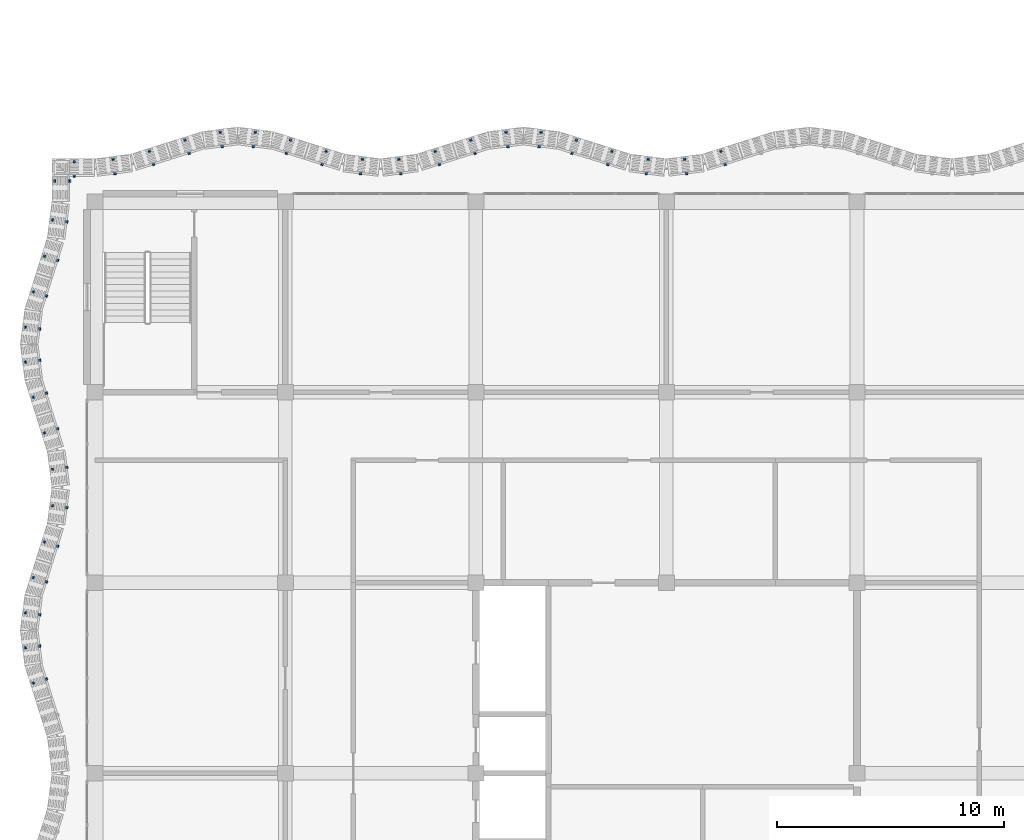
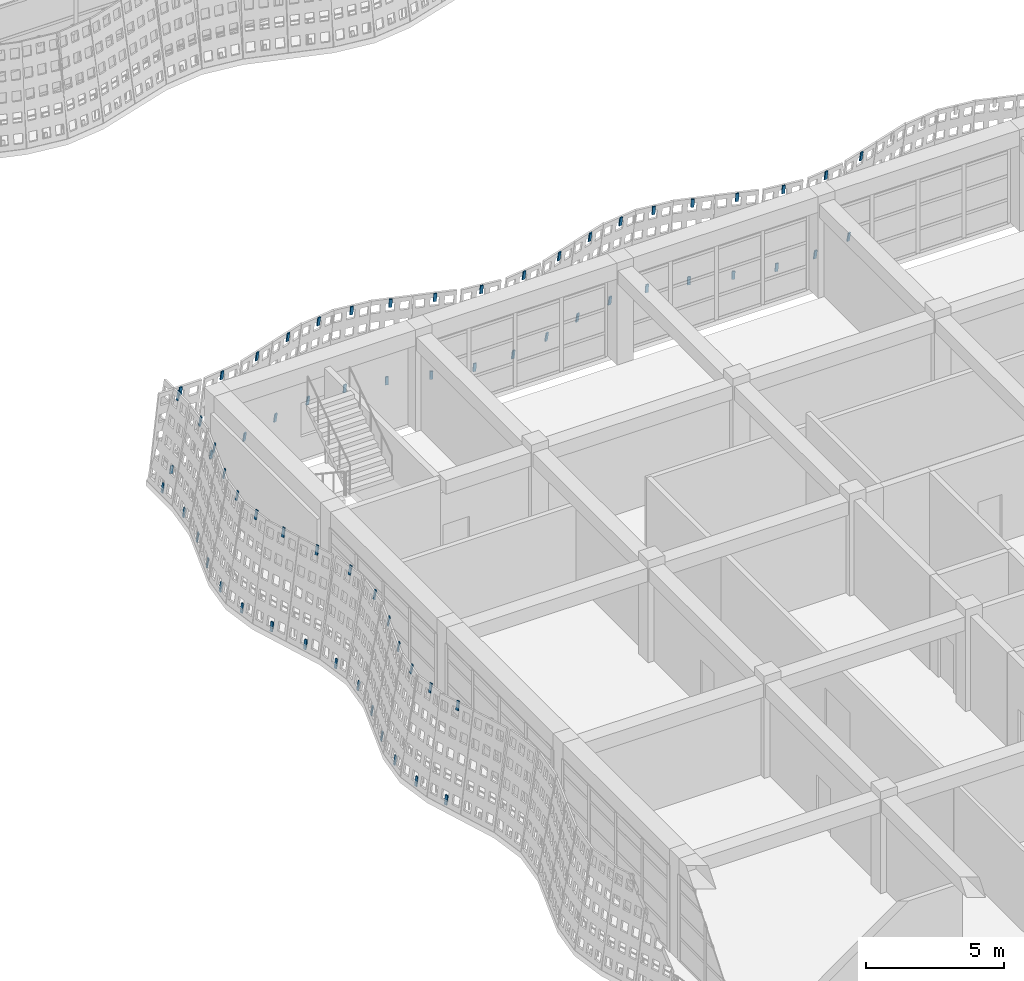
# One storey, part 102 of 162: 68 discrete accessories.
"""IFC4 building model written with IfcOpenShell, lengths in metres."""

import ifcopenshell
import ifcopenshell.guid

model = None  # the IFC model being written
_history = None  # IfcOwnerHistory: only IFC2X3 demands one
_inside = {}  # id of a spatial element -> (the spatial element, [elements in it])
_under = {}  # id of a project, library or spatial element -> (it, [spatial elements below it])
_declared = {}  # id of a project -> (the project, [libraries it declares])
_typed = {}  # id of a type object -> (the type object, [elements of that type])
_made_of = {}  # id of a material, layer set ... -> (it, [elements and type objects made of it])


def new_model(schema):
    """Start an empty IFC model of exactly this schema.

    Asked for "IFC4X3", IfcOpenShell would pick the latest addendum, in which some entities
    have other attributes; the version numbers below select the first issue.
    IFC2X3 requires an IfcOwnerHistory on every rooted entity: one is made here for all.
    """
    global model, _history
    if schema == "IFC4X3":
        model = ifcopenshell.file(schema_version=(4, 3, 0, 0))
    else:
        model = ifcopenshell.file(schema=schema)
    _inside.clear()
    _under.clear()
    _declared.clear()
    _typed.clear()
    _made_of.clear()
    _history = None
    if model.schema == "IFC2X3":
        org = make("IfcOrganization", Name="unknown")
        user = make(
            "IfcPersonAndOrganization",
            ThePerson=make("IfcPerson", FamilyName="unknown"),
            TheOrganization=org,
        )
        app = make(
            "IfcApplication",
            ApplicationDeveloper=org,
            Version="unknown",
            ApplicationFullName="unknown",
            ApplicationIdentifier="unknown",
        )
        _history = make(
            "IfcOwnerHistory",
            OwningUser=user,
            OwningApplication=app,
            ChangeAction="ADDED",
            CreationDate=0,
        )
    return model


def make(cls, **values):
    """One entity of the class cls with the attributes given. An attribute that is None is left unset."""
    return model.create_entity(
        cls, **{name: value for name, value in values.items() if value is not None}
    )


def rooted(cls, **values):
    """An entity with a GlobalId (a new one), such as an element, a storey or a relation."""
    return make(cls, GlobalId=ifcopenshell.guid.new(), OwnerHistory=_history, **values)


def si_unit(unit_type, name, prefix=None):
    """IfcSIUnit, for example si_unit("LENGTHUNIT", "METRE", prefix="MILLI")."""
    return make("IfcSIUnit", UnitType=unit_type, Prefix=prefix, Name=name)


def assignment(units):
    """IfcUnitAssignment: the units of a project."""
    return None if units is None else make("IfcUnitAssignment", Units=units)


def point(xyz):
    """IfcCartesianPoint."""
    return None if xyz is None else make("IfcCartesianPoint", Coordinates=xyz)


def direction(xyz):
    """IfcDirection."""
    return None if xyz is None else make("IfcDirection", DirectionRatios=xyz)


def frame(location, z_axis=None, x_axis=None):
    """IfcAxis2Placement3D, a coordinate frame: its origin and axes. An axis left out is left unset."""
    return make(
        "IfcAxis2Placement3D",
        Location=point(location),
        Axis=direction(z_axis),
        RefDirection=direction(x_axis),
    )


def frame_2d(location, x_axis=None):
    """IfcAxis2Placement2D, a coordinate frame in the plane: its origin and x axis."""
    return make(
        "IfcAxis2Placement2D", Location=point(location), RefDirection=direction(x_axis)
    )


def origin():
    """The frame at (0, 0, 0) with its axes left unset."""
    return frame((0.0, 0.0, 0.0))


def origin_2d():
    """The frame at (0, 0) in the plane with its x axis left unset."""
    return frame_2d((0.0, 0.0))


def place(relative_to, where):
    """IfcLocalPlacement: puts the frame where relative to a parent placement (None: the world)."""
    return make(
        "IfcLocalPlacement", PlacementRelTo=relative_to, RelativePlacement=where
    )


def context(
    kind, dimensions, precision=None, world=None, true_north=None, identifier=None
):
    """IfcGeometricRepresentationContext, for example the 3D "Model" context."""
    return make(
        "IfcGeometricRepresentationContext",
        ContextIdentifier=identifier,
        ContextType=kind,
        CoordinateSpaceDimension=dimensions,
        Precision=precision,
        WorldCoordinateSystem=world,
        TrueNorth=true_north,
    )


def subcontext(parent, identifier, kind, view, scale=None):
    """IfcGeometricRepresentationSubContext, for example "Body" below "Model"."""
    return make(
        "IfcGeometricRepresentationSubContext",
        ContextIdentifier=identifier,
        ContextType=kind,
        ParentContext=parent,
        TargetScale=scale,
        TargetView=view,
    )


def project(units=None, contexts=None):
    """IfcProject with its units and contexts."""
    return rooted(
        "IfcProject",
        Name="project",
        RepresentationContexts=contexts,
        UnitsInContext=assignment(units),
    )


def spatial(cls, under=None, at=None, **own):
    """A site, building, storey or space (cls), placed at a placement, below another one or the project."""
    s = rooted(cls, ObjectPlacement=at, **own)
    if under is not None:
        _under.setdefault(under.id(), (under, []))[1].append(s)
    return s


def profile(cls, at=None, kind="AREA", **sizes):
    """A parametric profile (cls). Its sizes go by their IFC names, for example OverallWidth=200.0."""
    return make(cls, ProfileType=kind, Position=at, **sizes)


def rectangle(**sizes):
    """IfcRectangleProfileDef."""
    return profile("IfcRectangleProfileDef", **sizes)


def extrude(swept, where, along, depth):
    """IfcExtrudedAreaSolid: the profile swept, set in the frame where, extruded along a direction by depth."""
    return make(
        "IfcExtrudedAreaSolid",
        SweptArea=swept,
        Position=where,
        ExtrudedDirection=direction(along),
        Depth=depth,
    )


def shape(context_of_items, identifier, shape_type, items):
    """IfcShapeRepresentation: the items that make up one representation, for example the "Body"."""
    return make(
        "IfcShapeRepresentation",
        ContextOfItems=context_of_items,
        RepresentationIdentifier=identifier,
        RepresentationType=shape_type,
        Items=items,
    )


def material(Name=None, Category=None):
    """IfcMaterial."""
    return make("IfcMaterial", Name=Name, Category=Category)


def material_profile(
    of_material, cross_section, Name=None, Category=None, Priority=None
):
    """IfcMaterialProfile: a cross section and its material."""
    return make(
        "IfcMaterialProfile",
        Name=Name,
        Material=of_material,
        Profile=cross_section,
        Priority=Priority,
        Category=Category,
    )


def profile_set(profiles, Name=None, composite=None):
    """IfcMaterialProfileSet."""
    return make(
        "IfcMaterialProfileSet",
        Name=Name,
        MaterialProfiles=profiles,
        CompositeProfile=composite,
    )


def made_of(thing, what):
    """Note that an element or type object is made of a material, layer set ...; save() writes the relation."""
    if what is not None:
        _made_of.setdefault(what.id(), (what, []))[1].append(thing)
    return thing


def type_object(cls, material=None, **own):
    """A type object (cls), such as IfcWallType, which elements share."""
    return made_of(rooted(cls, **own), material)


def element(
    cls,
    number,
    at=None,
    inside=None,
    cuts=None,
    type_object=None,
    material=None,
    context=None,
    identifier="Body",
    shape_type=None,
    held_by="IfcProductDefinitionShape",
    body=None,
    shapes=None,
    **own,
):
    """One element of the class cls, such as IfcWall. Its Tag is "e" and its number.

    at: its placement. inside: the storey or other place that contains it. cuts: it is an
    opening in that element (IfcRelVoidsElement). A single representation is given by context,
    identifier, shape_type and body (its items); several are given by shapes. held_by: the class
    of the entity that holds the representations. save() writes the other relations.
    """
    e = rooted(cls, Tag="e%d" % number, ObjectPlacement=at, **own)
    if body is not None:
        shapes = [shape(context, identifier, shape_type, body)]
    if shapes is not None:
        e.Representation = make(held_by, Representations=shapes)
    if inside is not None:
        _inside.setdefault(inside.id(), (inside, []))[1].append(e)
    if cuts is not None:
        rooted(
            "IfcRelVoidsElement", RelatingBuildingElement=cuts, RelatedOpeningElement=e
        )
    if type_object is not None:
        _typed.setdefault(type_object.id(), (type_object, []))[1].append(e)
    return made_of(e, material)


def aggregate(whole, parts):
    """IfcRelAggregates: a whole, such as a stair, and the parts it consists of."""
    return rooted("IfcRelAggregates", RelatingObject=whole, RelatedObjects=parts)


def save(model, path):
    """Write the relations noted so far, then the file.

    IfcRelAggregates (storeys below a building ...), IfcRelContainedInSpatialStructure (elements
    in a storey), IfcRelDefinesByType, IfcRelAssociatesMaterial and IfcRelDeclares: one each for
    every whole, place, type object, material and project.
    """
    for whole, parts in _under.values():
        aggregate(whole, parts)
    for where, things in _inside.values():
        rooted(
            "IfcRelContainedInSpatialStructure",
            RelatedElements=things,
            RelatingStructure=where,
        )
    for kind, things in _typed.values():
        rooted("IfcRelDefinesByType", RelatedObjects=things, RelatingType=kind)
    for what, things in _made_of.values():
        rooted("IfcRelAssociatesMaterial", RelatedObjects=things, RelatingMaterial=what)
    for by, libraries in _declared.values():
        rooted("IfcRelDeclares", RelatingContext=by, RelatedDefinitions=libraries)
    model.write(path)


model = new_model("IFC4")

# Units and contexts
model_context = context("Model", 3, precision=1e-05, world=origin(), true_north=direction((0.0, 1.0)))
body_context = subcontext(model_context, "Body", "Model", "MODEL_VIEW")
ifc_project = project(units=[si_unit("LENGTHUNIT", "METRE"), si_unit("AREAUNIT", "SQUARE_METRE"), si_unit("VOLUMEUNIT", "CUBIC_METRE"), si_unit("PLANEANGLEUNIT", "RADIAN"), si_unit("MASSUNIT", "GRAM", prefix="KILO")], contexts=[model_context])

# Site, building, storey
site_placement = place(None, origin())
site = spatial("IfcSite", under=ifc_project, at=site_placement, CompositionType="ELEMENT")
building_placement = place(site_placement, origin())
building = spatial("IfcBuilding", under=site, at=building_placement, Name="Rain Tree Exposition and Congress Centre", CompositionType="ELEMENT")
storey_placement = place(building_placement, frame((0.0, 0.0, 6.0)))
storey = spatial("IfcBuildingStorey", under=building, at=storey_placement, Name="L01", CompositionType="ELEMENT", Elevation=6.0)

# Discrete accessories
ifc_material = material(Name="Steel S355J2", Category="steel")
ifc_material_profile = material_profile(ifc_material, rectangle(XDim=0.1201171875, YDim=0.050048828125, at=origin_2d()), Name="Flat bar 120x50")
ifc_profile_set = profile_set([ifc_material_profile], Name="Steel S355J2")
discrete_accessory_type = type_object("IfcDiscreteAccessoryType", Name="Screen bracket 120x50", PredefinedType="BRACKET", material=ifc_profile_set)
discrete_accessory_1_placement = place(storey_placement, frame((27.778564453125, 52.0654296875, 3.85107421875), z_axis=(0.046996943907, -0.150146080534, 0.987546171966), x_axis=(0.954341817491, 0.298716747751, 0.0)))
element("IfcDiscreteAccessory", 1, at=discrete_accessory_1_placement, inside=storey, type_object=discrete_accessory_type, Name="wing/bracket/L01/0831t", PredefinedType="BRACKET", context=body_context, shape_type="SweptSolid", body=[
    extrude(rectangle(XDim=0.1201171875, YDim=0.050048828125, at=origin_2d()), origin(), (0.0, 0.0, 1.0), 0.39990234375),
])
discrete_accessory_2_placement = place(storey_placement, frame((27.593994140625, 52.652587890625, 0.00390625), z_axis=(0.04699262887, -0.150742588713, 0.987455500152), x_axis=(0.954686073127, 0.297614686764, 0.0)))
element("IfcDiscreteAccessory", 2, at=discrete_accessory_2_placement, inside=storey, type_object=discrete_accessory_type, Name="wing/bracket/L01/0831b", PredefinedType="BRACKET", context=body_context, shape_type="SweptSolid", body=[
    extrude(rectangle(XDim=0.1201171875, YDim=0.050048828125, at=origin_2d()), origin(), (0.0, 0.0, 1.0), 0.400146484375),
])
for number, where, z_axis, x_axis, name in (
    (3, (26.08349609375, 51.664306640625, 3.851318359375), (0.021363835031, -0.162975541524, 0.986398783159), (0.991517377774, 0.129974188098, 0.0), "wing/bracket/L01/0841t"),
    (4, (26.001220703125, 52.298583984375, 0.004150390625), (0.020753706516, -0.162977636468, 0.986411462665), (0.991989449114, 0.12632075382, 0.0), "wing/bracket/L01/0841b"),
    (5, (24.31640625, 51.664306640625, 3.851318359375), (-0.021363835031, -0.162975541524, 0.986398783159), (0.991517377774, -0.129974188098, 0.0), "wing/bracket/L01/0851t"),
    (6, (24.39892578125, 52.298583984375, 0.004150390625), (-0.021363835031, -0.162975541524, 0.986398783159), (0.991517377774, -0.129974188098, 0.0), "wing/bracket/L01/0851b"),
    (7, (22.62158203125, 52.0654296875, 3.85107421875), (-0.047605919425, -0.150141745877, 0.987517661908), (0.953230637699, -0.302243860734, 0.0), "wing/bracket/L01/0861t"),
):
    element("IfcDiscreteAccessory", number, at=place(storey_placement, frame(where, z_axis=z_axis, x_axis=x_axis)), inside=storey, type_object=discrete_accessory_type, Name=name, PredefinedType="BRACKET", context=body_context, shape_type="SweptSolid", body=[
        extrude(rectangle(XDim=0.1201171875, YDim=0.050048828125, at=origin_2d()), origin(), (0.0, 0.0, 1.0), 0.39990234375),
    ])
for number, where, z_axis, x_axis, name in (
    (8, (22.805908203125, 52.652587890625, 0.00390625), (-0.04699262887, -0.150742588713, 0.987455500152), (0.954686073127, -0.297614686764, 0.0), "wing/bracket/L01/0861b"),
    (9, (21.0498046875, 52.5595703125, 3.85107421875), (-0.04699262887, -0.150742588713, 0.987455500152), (0.954686073127, -0.297614686764, 0.0), "wing/bracket/L01/0871t"),
):
    element("IfcDiscreteAccessory", number, at=place(storey_placement, frame(where, z_axis=z_axis, x_axis=x_axis)), inside=storey, type_object=discrete_accessory_type, Name=name, PredefinedType="BRACKET", context=body_context, shape_type="SweptSolid", body=[
        extrude(rectangle(XDim=0.1201171875, YDim=0.050048828125, at=origin_2d()), origin(), (0.0, 0.0, 1.0), 0.400146484375),
    ])
for number, where, z_axis, x_axis, name in (
    (10, (21.234375, 53.146484375, 0.00390625), (-0.047605919425, -0.150141745877, 0.987517661908), (0.953230637699, -0.302243860734, 0.0), "wing/bracket/L01/0871b"),
    (11, (19.593017578125, 52.85888671875, 3.851318359375), (-0.020755767579, -0.162383358115, 0.986509423736), (0.991929834703, -0.126788023985, 0.0), "wing/bracket/L01/0881t"),
    (12, (19.675537109375, 53.493408203125, 0.004150390625), (-0.021363835031, -0.162975541524, 0.986398783159), (0.991517377774, -0.129974188098, 0.0), "wing/bracket/L01/0881b"),
    (13, (18.20703125, 52.85888671875, 3.851318359375), (0.020755767579, -0.162383358115, 0.986509423736), (0.991929834703, 0.126788023985, 0.0), "wing/bracket/L01/0891t"),
    (14, (18.12451171875, 53.493408203125, 0.004150390625), (0.020753706516, -0.162977636468, 0.986411462665), (0.991989449114, 0.12632075382, 0.0), "wing/bracket/L01/0891b"),
):
    element("IfcDiscreteAccessory", number, at=place(storey_placement, frame(where, z_axis=z_axis, x_axis=x_axis)), inside=storey, type_object=discrete_accessory_type, Name=name, PredefinedType="BRACKET", context=body_context, shape_type="SweptSolid", body=[
        extrude(rectangle(XDim=0.1201171875, YDim=0.050048828125, at=origin_2d()), origin(), (0.0, 0.0, 1.0), 0.39990234375),
    ])
discrete_accessory_3_placement = place(storey_placement, frame((16.75, 52.5595703125, 3.85107421875), z_axis=(0.047601548727, -0.150738237635, 0.987426997946), x_axis=(0.953582665134, 0.301131367937, 0.0)))
element("IfcDiscreteAccessory", 15, at=discrete_accessory_3_placement, inside=storey, type_object=discrete_accessory_type, Name="wing/bracket/L01/0901t", PredefinedType="BRACKET", context=body_context, shape_type="SweptSolid", body=[
    extrude(rectangle(XDim=0.1201171875, YDim=0.050048828125, at=origin_2d()), origin(), (0.0, 0.0, 1.0), 0.400146484375),
])
for number, where, z_axis, x_axis, name in (
    (16, (16.565673828125, 53.146484375, 0.00390625), (0.047605919425, -0.150141745877, 0.987517661908), (0.953230637699, 0.302243860734, 0.0), "wing/bracket/L01/0901b"),
    (17, (15.178466796875, 52.0654296875, 3.85107421875), (0.047605919425, -0.150141745877, 0.987517661908), (0.953230637699, 0.302243860734, 0.0), "wing/bracket/L01/0911t"),
):
    element("IfcDiscreteAccessory", number, at=place(storey_placement, frame(where, z_axis=z_axis, x_axis=x_axis)), inside=storey, type_object=discrete_accessory_type, Name=name, PredefinedType="BRACKET", context=body_context, shape_type="SweptSolid", body=[
        extrude(rectangle(XDim=0.1201171875, YDim=0.050048828125, at=origin_2d()), origin(), (0.0, 0.0, 1.0), 0.39990234375),
    ])
discrete_accessory_4_placement = place(storey_placement, frame((14.993896484375, 52.652587890625, 0.00390625), z_axis=(0.047601548727, -0.150738237635, 0.987426997946), x_axis=(0.953582665134, 0.301131367937, 0.0)))
element("IfcDiscreteAccessory", 18, at=discrete_accessory_4_placement, inside=storey, type_object=discrete_accessory_type, Name="wing/bracket/L01/0911b", PredefinedType="BRACKET", context=body_context, shape_type="SweptSolid", body=[
    extrude(rectangle(XDim=0.1201171875, YDim=0.050048828125, at=origin_2d()), origin(), (0.0, 0.0, 1.0), 0.400146484375),
])
for number, where, z_axis, x_axis, name in (
    (19, (13.483642578125, 51.664306640625, 3.851318359375), (0.021363835031, -0.162975541524, 0.986398783159), (0.991517377774, 0.129974188098, 0.0), "wing/bracket/L01/0921t"),
    (20, (13.401123046875, 52.298583984375, 0.004150390625), (0.020753706516, -0.162977636468, 0.986411462665), (0.991989449114, 0.12632075382, 0.0), "wing/bracket/L01/0921b"),
    (21, (11.71630859375, 51.664306640625, 3.851318359375), (-0.020753706516, -0.162977636468, 0.986411462665), (0.991989449114, -0.12632075382, 0.0), "wing/bracket/L01/0931t"),
    (22, (11.798828125, 52.298583984375, 0.004150390625), (-0.020753706516, -0.162977636468, 0.986411462665), (0.991989449114, -0.12632075382, 0.0), "wing/bracket/L01/0931b"),
    (23, (10.021484375, 52.0654296875, 3.85107421875), (-0.046996943907, -0.150146080534, 0.987546171966), (0.954341817491, -0.298716747751, 0.0), "wing/bracket/L01/0941t"),
):
    element("IfcDiscreteAccessory", number, at=place(storey_placement, frame(where, z_axis=z_axis, x_axis=x_axis)), inside=storey, type_object=discrete_accessory_type, Name=name, PredefinedType="BRACKET", context=body_context, shape_type="SweptSolid", body=[
        extrude(rectangle(XDim=0.1201171875, YDim=0.050048828125, at=origin_2d()), origin(), (0.0, 0.0, 1.0), 0.39990234375),
    ])
for number, where, z_axis, x_axis, name in (
    (24, (10.2060546875, 52.652587890625, 0.00390625), (-0.047601548727, -0.150738237635, 0.987426997946), (0.953582665134, -0.301131367937, 0.0), "wing/bracket/L01/0941b"),
    (25, (8.449951171875, 52.5595703125, 3.85107421875), (-0.047601548727, -0.150738237635, 0.987426997946), (0.953582665134, -0.301131367937, 0.0), "wing/bracket/L01/0951t"),
):
    element("IfcDiscreteAccessory", number, at=place(storey_placement, frame(where, z_axis=z_axis, x_axis=x_axis)), inside=storey, type_object=discrete_accessory_type, Name=name, PredefinedType="BRACKET", context=body_context, shape_type="SweptSolid", body=[
        extrude(rectangle(XDim=0.1201171875, YDim=0.050048828125, at=origin_2d()), origin(), (0.0, 0.0, 1.0), 0.400146484375),
    ])
for number, where, z_axis, x_axis, name in (
    (26, (8.634521484375, 53.146484375, 0.00390625), (-0.047605919425, -0.150141745877, 0.987517661908), (0.953230637699, -0.302243860734, 0.0), "wing/bracket/L01/0951b"),
    (27, (6.992919921875, 52.85888671875, 3.851318359375), (-0.020755767579, -0.162383358115, 0.986509423736), (0.991929834703, -0.126788023985, 0.0), "wing/bracket/L01/0961t"),
    (28, (7.07568359375, 53.493408203125, 0.004150390625), (-0.021363835031, -0.162975541524, 0.986398783159), (0.991517377774, -0.129974188098, 0.0), "wing/bracket/L01/0961b"),
    (29, (5.60693359375, 52.85888671875, 3.851318359375), (0.021365956631, -0.162381270396, 0.986496740452), (0.991454295543, 0.130454512571, 0.0), "wing/bracket/L01/0971t"),
    (30, (5.5244140625, 53.493408203125, 0.004150390625), (0.021363835031, -0.162975541524, 0.986398783159), (0.991517377774, 0.129974188098, 0.0), "wing/bracket/L01/0971b"),
):
    element("IfcDiscreteAccessory", number, at=place(storey_placement, frame(where, z_axis=z_axis, x_axis=x_axis)), inside=storey, type_object=discrete_accessory_type, Name=name, PredefinedType="BRACKET", context=body_context, shape_type="SweptSolid", body=[
        extrude(rectangle(XDim=0.1201171875, YDim=0.050048828125, at=origin_2d()), origin(), (0.0, 0.0, 1.0), 0.39990234375),
    ])
discrete_accessory_5_placement = place(storey_placement, frame((4.150146484375, 52.5595703125, 3.85107421875), z_axis=(0.047601548727, -0.150738237635, 0.987426997946), x_axis=(0.953582665134, 0.301131367937, 0.0)))
element("IfcDiscreteAccessory", 31, at=discrete_accessory_5_placement, inside=storey, type_object=discrete_accessory_type, Name="wing/bracket/L01/0981t", PredefinedType="BRACKET", context=body_context, shape_type="SweptSolid", body=[
    extrude(rectangle(XDim=0.1201171875, YDim=0.050048828125, at=origin_2d()), origin(), (0.0, 0.0, 1.0), 0.400146484375),
])
for number, where, z_axis, x_axis, name in (
    (32, (3.965576171875, 53.146484375, 0.00390625), (0.047605919425, -0.150141745877, 0.987517661908), (0.953230637699, 0.302243860734, 0.0), "wing/bracket/L01/0981b"),
    (33, (2.57861328125, 52.0654296875, 3.85107421875), (0.046996943907, -0.150146080534, 0.987546171966), (0.954341817491, 0.298716747751, 0.0), "wing/bracket/L01/0991t"),
):
    element("IfcDiscreteAccessory", number, at=place(storey_placement, frame(where, z_axis=z_axis, x_axis=x_axis)), inside=storey, type_object=discrete_accessory_type, Name=name, PredefinedType="BRACKET", context=body_context, shape_type="SweptSolid", body=[
        extrude(rectangle(XDim=0.1201171875, YDim=0.050048828125, at=origin_2d()), origin(), (0.0, 0.0, 1.0), 0.39990234375),
    ])
discrete_accessory_6_placement = place(storey_placement, frame((2.39404296875, 52.652587890625, 0.00390625), z_axis=(0.04699262887, -0.150742588713, 0.987455500152), x_axis=(0.954686073127, 0.297614686764, 0.0)))
element("IfcDiscreteAccessory", 34, at=discrete_accessory_6_placement, inside=storey, type_object=discrete_accessory_type, Name="wing/bracket/L01/0991b", PredefinedType="BRACKET", context=body_context, shape_type="SweptSolid", body=[
    extrude(rectangle(XDim=0.1201171875, YDim=0.050048828125, at=origin_2d()), origin(), (0.0, 0.0, 1.0), 0.400146484375),
])
for number, where, z_axis, x_axis, name in (
    (35, (0.883544921875, 51.664306640625, 3.851318359375), (0.021363835031, -0.162975541524, 0.986398783159), (0.991517377774, 0.129974188098, 0.0), "wing/bracket/L01/1001t"),
    (36, (0.801025390625, 52.298583984375, 0.004150390625), (0.021363835031, -0.162975541524, 0.986398783159), (0.991517377774, 0.129974188098, 0.0), "wing/bracket/L01/1001b"),
):
    element("IfcDiscreteAccessory", number, at=place(storey_placement, frame(where, z_axis=z_axis, x_axis=x_axis)), inside=storey, type_object=discrete_accessory_type, Name=name, PredefinedType="BRACKET", context=body_context, shape_type="SweptSolid", body=[
        extrude(rectangle(XDim=0.1201171875, YDim=0.050048828125, at=origin_2d()), origin(), (0.0, 0.0, 1.0), 0.39990234375),
    ])
for number, where, z_axis, x_axis, name in (
    (37, (-0.91015625, 51.550048828125, 3.851318359375), (0.0, -0.165388563864, 0.986228484147), (1.0, 0.0, 0.0), "wing/bracket/L01/1011t"),
    (38, (-0.91015625, 52.1953125, 0.004150390625), (0.0, -0.16598207031, 0.986128770666), (1.0, 0.0, 0.0), "wing/bracket/L01/1011b"),
):
    element("IfcDiscreteAccessory", number, at=place(storey_placement, frame(where, z_axis=z_axis, x_axis=x_axis)), inside=storey, type_object=discrete_accessory_type, Name=name, PredefinedType="BRACKET", context=body_context, shape_type="SweptSolid", body=[
        extrude(rectangle(XDim=0.1201171875, YDim=0.050048828125, at=origin_2d()), origin(), (0.0, 0.0, 1.0), 0.400146484375),
    ])
discrete_accessory_7_placement = place(storey_placement, frame((-1.14990234375, 51.310302734375, 3.851318359375), z_axis=(0.164794877674, 0.0, 0.986327860446), x_axis=(0.0, 1.0, 0.0)))
element("IfcDiscreteAccessory", 39, at=discrete_accessory_7_placement, inside=storey, type_object=discrete_accessory_type, Name="wing/bracket/L01/1021t", PredefinedType="BRACKET", context=body_context, shape_type="SweptSolid", body=[
    extrude(rectangle(XDim=0.1201171875, YDim=0.050048828125, at=origin_2d()), origin(), (0.0, 0.0, 1.0), 0.39990234375),
])
discrete_accessory_8_placement = place(storey_placement, frame((-1.795166015625, 51.310302734375, 0.004150390625), z_axis=(0.165388563864, 0.0, 0.986228484147), x_axis=(0.0, 1.0, 0.0)))
element("IfcDiscreteAccessory", 40, at=discrete_accessory_8_placement, inside=storey, type_object=discrete_accessory_type, Name="wing/bracket/L01/1021b", PredefinedType="BRACKET", context=body_context, shape_type="SweptSolid", body=[
    extrude(rectangle(XDim=0.1201171875, YDim=0.050048828125, at=origin_2d()), origin(), (0.0, 0.0, 1.0), 0.400146484375),
])
for number, where, z_axis, x_axis, name in (
    (41, (-1.26416015625, 49.516357421875, 3.851318359375), (0.162381270396, -0.021365956631, 0.986496740452), (0.130454512571, 0.991454295543, 0.0), "wing/bracket/L01/1031t"),
    (42, (-1.898681640625, 49.598876953125, 0.004150390625), (0.162977636468, -0.020753706516, 0.986411462665), (0.12632075382, 0.991989449114, 0.0), "wing/bracket/L01/1031b"),
):
    element("IfcDiscreteAccessory", number, at=place(storey_placement, frame(where, z_axis=z_axis, x_axis=x_axis)), inside=storey, type_object=discrete_accessory_type, Name=name, PredefinedType="BRACKET", context=body_context, shape_type="SweptSolid", body=[
        extrude(rectangle(XDim=0.1201171875, YDim=0.050048828125, at=origin_2d()), origin(), (0.0, 0.0, 1.0), 0.39990234375),
    ])
for number, where, z_axis, x_axis, name in (
    (43, (-1.66552734375, 47.821533203125, 3.85107421875), (0.150738237635, -0.047601548727, 0.987426997946), (0.301131367937, 0.953582665134, 0.0), "wing/bracket/L01/1041t"),
    (44, (-2.252685546875, 48.006103515625, 0.00390625), (0.150738237635, -0.047601548727, 0.987426997946), (0.301131367937, 0.953582665134, 0.0), "wing/bracket/L01/1041b"),
    (45, (-2.159423828125, 46.25, 3.85107421875), (0.150738237635, -0.047601548727, 0.987426997946), (0.301131367937, 0.953582665134, 0.0), "wing/bracket/L01/1051t"),
    (46, (-2.74658203125, 46.434326171875, 0.00390625), (0.150738237635, -0.047601548727, 0.987426997946), (0.301131367937, 0.953582665134, 0.0), "wing/bracket/L01/1051b"),
):
    element("IfcDiscreteAccessory", number, at=place(storey_placement, frame(where, z_axis=z_axis, x_axis=x_axis)), inside=storey, type_object=discrete_accessory_type, Name=name, PredefinedType="BRACKET", context=body_context, shape_type="SweptSolid", body=[
        extrude(rectangle(XDim=0.1201171875, YDim=0.050048828125, at=origin_2d()), origin(), (0.0, 0.0, 1.0), 0.400146484375),
    ])
for number, where, z_axis, x_axis, name in (
    (47, (-2.458984375, 44.79296875, 3.851318359375), (0.162977636468, -0.020753706516, 0.986411462665), (0.12632075382, 0.991989449114, 0.0), "wing/bracket/L01/1061t"),
    (48, (-3.093505859375, 44.87548828125, 0.004150390625), (0.162977636468, -0.020753706516, 0.986411462665), (0.12632075382, 0.991989449114, 0.0), "wing/bracket/L01/1061b"),
    (49, (-2.458984375, 43.406982421875, 3.851318359375), (0.162977636468, 0.020753706516, 0.986411462665), (-0.12632075382, 0.991989449114, 0.0), "wing/bracket/L01/1071t"),
    (50, (-3.093505859375, 43.324462890625, 0.004150390625), (0.162975541524, 0.021363835031, 0.986398783159), (-0.129974188098, 0.991517377774, 0.0), "wing/bracket/L01/1071b"),
):
    element("IfcDiscreteAccessory", number, at=place(storey_placement, frame(where, z_axis=z_axis, x_axis=x_axis)), inside=storey, type_object=discrete_accessory_type, Name=name, PredefinedType="BRACKET", context=body_context, shape_type="SweptSolid", body=[
        extrude(rectangle(XDim=0.1201171875, YDim=0.050048828125, at=origin_2d()), origin(), (0.0, 0.0, 1.0), 0.39990234375),
    ])
for number, where, z_axis, x_axis, name in (
    (51, (-2.159423828125, 41.9501953125, 3.85107421875), (0.150742588713, 0.04699262887, 0.987455500152), (-0.297614686764, 0.954686073127, 0.0), "wing/bracket/L01/1081t"),
    (52, (-2.74658203125, 41.765625, 0.00390625), (0.150738237635, 0.047601548727, 0.987426997946), (-0.301131367937, 0.953582665134, 0.0), "wing/bracket/L01/1081b"),
    (53, (-1.66552734375, 40.37841796875, 3.85107421875), (0.150738237635, 0.047601548727, 0.987426997946), (-0.301131367937, 0.953582665134, 0.0), "wing/bracket/L01/1091t"),
    (54, (-2.252685546875, 40.194091796875, 0.00390625), (0.150742588713, 0.04699262887, 0.987455500152), (-0.297614686764, 0.954686073127, 0.0), "wing/bracket/L01/1091b"),
):
    element("IfcDiscreteAccessory", number, at=place(storey_placement, frame(where, z_axis=z_axis, x_axis=x_axis)), inside=storey, type_object=discrete_accessory_type, Name=name, PredefinedType="BRACKET", context=body_context, shape_type="SweptSolid", body=[
        extrude(rectangle(XDim=0.1201171875, YDim=0.050048828125, at=origin_2d()), origin(), (0.0, 0.0, 1.0), 0.400146484375),
    ])
for number, where, z_axis, x_axis, name in (
    (55, (-1.26416015625, 38.68359375, 3.851318359375), (0.162381270396, 0.021365956631, 0.986496740452), (-0.130454512571, 0.991454295543, 0.0), "wing/bracket/L01/1101t"),
    (56, (-1.898681640625, 38.60107421875, 0.004150390625), (0.162975541524, 0.021363835031, 0.986398783159), (-0.129974188098, 0.991517377774, 0.0), "wing/bracket/L01/1101b"),
    (57, (-1.26416015625, 36.91650390625, 3.851318359375), (0.162381270396, -0.021365956631, 0.986496740452), (0.130454512571, 0.991454295543, 0.0), "wing/bracket/L01/1111t"),
    (58, (-1.898681640625, 36.998779296875, 0.004150390625), (0.162977636468, -0.020753706516, 0.986411462665), (0.12632075382, 0.991989449114, 0.0), "wing/bracket/L01/1111b"),
):
    element("IfcDiscreteAccessory", number, at=place(storey_placement, frame(where, z_axis=z_axis, x_axis=x_axis)), inside=storey, type_object=discrete_accessory_type, Name=name, PredefinedType="BRACKET", context=body_context, shape_type="SweptSolid", body=[
        extrude(rectangle(XDim=0.1201171875, YDim=0.050048828125, at=origin_2d()), origin(), (0.0, 0.0, 1.0), 0.39990234375),
    ])
for number, where, z_axis, x_axis, name in (
    (59, (-1.66552734375, 35.221435546875, 3.85107421875), (0.150742588713, -0.04699262887, 0.987455500152), (0.297614686764, 0.954686073127, 0.0), "wing/bracket/L01/1121t"),
    (60, (-2.252685546875, 35.406005859375, 0.00390625), (0.150742588713, -0.04699262887, 0.987455500152), (0.297614686764, 0.954686073127, 0.0), "wing/bracket/L01/1121b"),
    (61, (-2.159423828125, 33.64990234375, 3.85107421875), (0.150738237635, -0.047601548727, 0.987426997946), (0.301131367937, 0.953582665134, 0.0), "wing/bracket/L01/1131t"),
    (62, (-2.74658203125, 33.83447265625, 0.00390625), (0.150738237635, -0.047601548727, 0.987426997946), (0.301131367937, 0.953582665134, 0.0), "wing/bracket/L01/1131b"),
):
    element("IfcDiscreteAccessory", number, at=place(storey_placement, frame(where, z_axis=z_axis, x_axis=x_axis)), inside=storey, type_object=discrete_accessory_type, Name=name, PredefinedType="BRACKET", context=body_context, shape_type="SweptSolid", body=[
        extrude(rectangle(XDim=0.1201171875, YDim=0.050048828125, at=origin_2d()), origin(), (0.0, 0.0, 1.0), 0.400146484375),
    ])
for number, where, z_axis, x_axis, name in (
    (63, (-2.458984375, 32.193115234375, 3.851318359375), (0.162975541524, -0.021363835031, 0.986398783159), (0.129974188098, 0.991517377774, 0.0), "wing/bracket/L01/1141t"),
    (64, (-3.093505859375, 32.275634765625, 0.004150390625), (0.162975541524, -0.021363835031, 0.986398783159), (0.129974188098, 0.991517377774, 0.0), "wing/bracket/L01/1141b"),
    (65, (-2.458984375, 30.806884765625, 3.851318359375), (0.162975541524, 0.021363835031, 0.986398783159), (-0.129974188098, 0.991517377774, 0.0), "wing/bracket/L01/1151t"),
    (66, (-3.093505859375, 30.724365234375, 0.004150390625), (0.162975541524, 0.021363835031, 0.986398783159), (-0.129974188098, 0.991517377774, 0.0), "wing/bracket/L01/1151b"),
):
    element("IfcDiscreteAccessory", number, at=place(storey_placement, frame(where, z_axis=z_axis, x_axis=x_axis)), inside=storey, type_object=discrete_accessory_type, Name=name, PredefinedType="BRACKET", context=body_context, shape_type="SweptSolid", body=[
        extrude(rectangle(XDim=0.1201171875, YDim=0.050048828125, at=origin_2d()), origin(), (0.0, 0.0, 1.0), 0.39990234375),
    ])
for number, where, z_axis, x_axis, name in (
    (67, (-2.159423828125, 29.35009765625, 3.85107421875), (0.150738237635, 0.047601548727, 0.987426997946), (-0.301131367937, 0.953582665134, 0.0), "wing/bracket/L01/1161t"),
    (68, (-2.74658203125, 29.16552734375, 0.00390625), (0.150738237635, 0.047601548727, 0.987426997946), (-0.301131367937, 0.953582665134, 0.0), "wing/bracket/L01/1161b"),
):
    element("IfcDiscreteAccessory", number, at=place(storey_placement, frame(where, z_axis=z_axis, x_axis=x_axis)), inside=storey, type_object=discrete_accessory_type, Name=name, PredefinedType="BRACKET", context=body_context, shape_type="SweptSolid", body=[
        extrude(rectangle(XDim=0.1201171875, YDim=0.050048828125, at=origin_2d()), origin(), (0.0, 0.0, 1.0), 0.400146484375),
    ])

save(model, "model.ifc")
